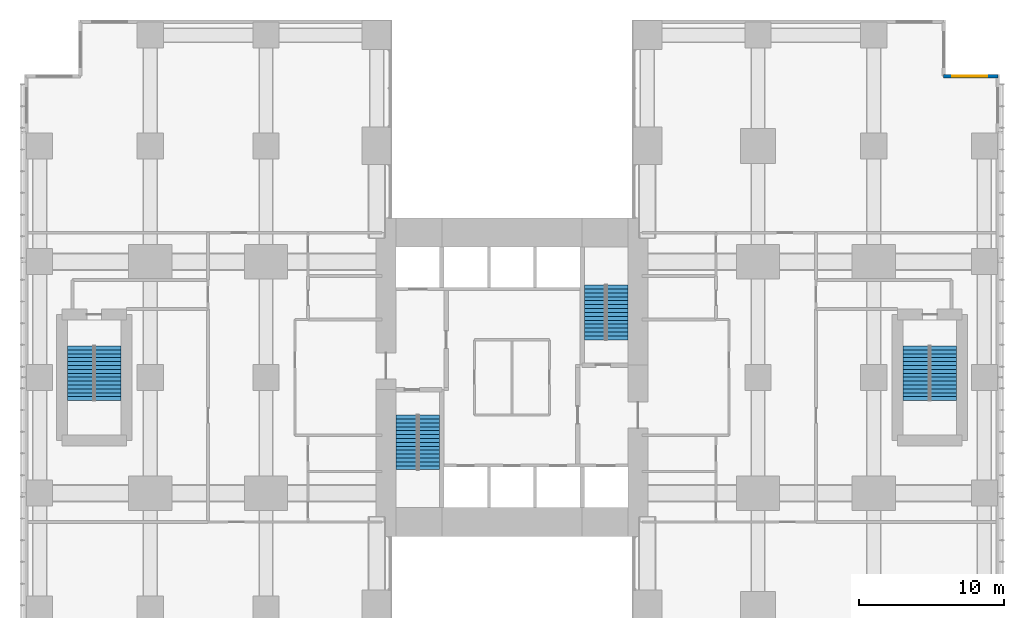
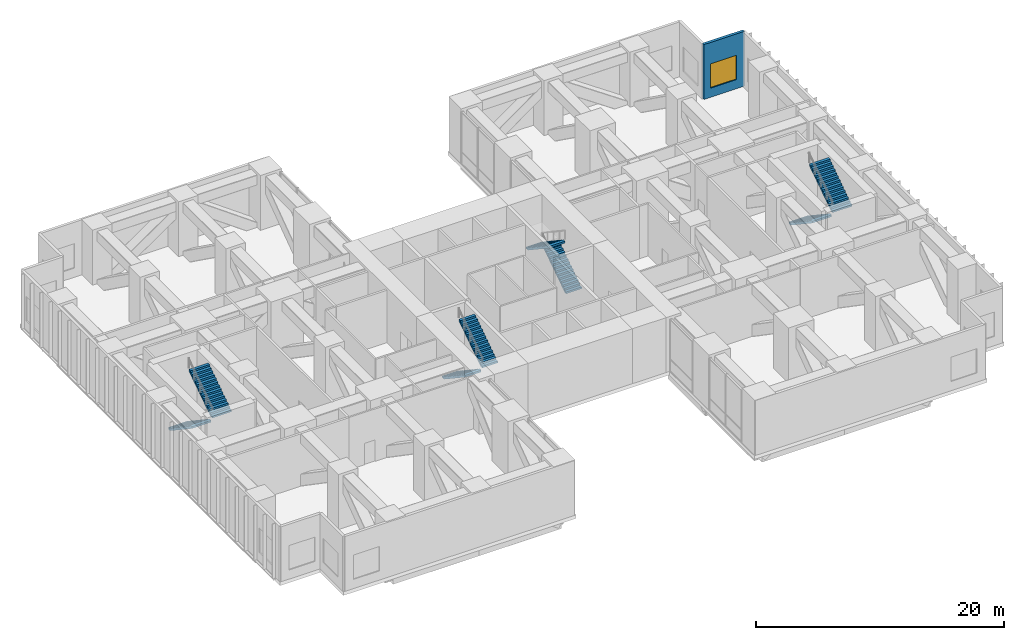
# One storey, part 14 of 15: 8 stair flights, 1 wall, 1 window, 1 opening, 4 elements without a shape of their own.
"""IFC4 building model written with IfcOpenShell, lengths in metres."""

from ifc_helpers import new_model, si_unit, direction, frame, frame_2d, origin, place, context, subcontext, project, spatial, polyline, rectangle, outline, extrude, material, layer, layer_set, type_object, element, fill, aggregate, save


model = new_model("IFC4")

# Units and contexts
model_context = context("Model", 3, precision=1e-05, world=origin(), true_north=direction((0.0, 1.0)))
body_context = subcontext(model_context, "Body", "Model", "MODEL_VIEW")
ifc_project = project(units=[si_unit("LENGTHUNIT", "METRE"), si_unit("AREAUNIT", "SQUARE_METRE"), si_unit("VOLUMEUNIT", "CUBIC_METRE"), si_unit("PLANEANGLEUNIT", "RADIAN"), si_unit("MASSUNIT", "GRAM", prefix="KILO")], contexts=[model_context])

# Site, building, storey
site_placement = place(None, origin())
site = spatial("IfcSite", under=ifc_project, at=site_placement, CompositionType="ELEMENT")
building_placement = place(site_placement, origin())
building = spatial("IfcBuilding", under=site, at=building_placement, Name="Cleftline Residences", CompositionType="ELEMENT")
storey_placement = place(building_placement, frame((0.0, 0.0, 171.800048828125)))
storey = spatial("IfcBuildingStorey", under=building, at=storey_placement, Name="L45", CompositionType="ELEMENT", Elevation=171.800048828125)

# Wall, opening, window
ifc_material_1 = material(Name="Rendered reinforced concrete blockwork", Category="masonry")
ifc_layer = layer(ifc_material_1, 0.25)
ifc_layer_set = layer_set([ifc_layer], Name="EXTERNAL WALL 250")
wall_type = type_object("IfcWallType", Name="EXTERNAL WALL 250", PredefinedType="SOLIDWALL", material=ifc_layer_set)
wall_placement = place(storey_placement, frame((66.574951171875, 44.824951171875, 0.0), z_axis=(0.0, 0.0, 1.0), x_axis=(-1.0, 0.0, 0.0)))
wall = element("IfcWall", 1, at=wall_placement, inside=storey, type_object=wall_type, Name="External wall", PredefinedType="SOLIDWALL", context=body_context, shape_type="SweptSolid", body=[
    extrude(rectangle(XDim=3.75, YDim=0.25, at=frame_2d((1.875, 0.0))), origin(), (0.0, 0.0, 1.0), 5.39990234375),
])
opening_placement = place(wall_placement, frame((0.737548828125, 0.0, 0.89990234375)))
opening = element("IfcOpeningElement", 2, at=opening_placement, cuts=wall, Name="Opening W9", PredefinedType="OPENING", context=body_context, shape_type="SweptSolid", body=[
    extrude(rectangle(XDim=2.39990234375, YDim=2.39990234375, at=frame_2d((1.199951171875, 1.199951171875))), frame((0.0, 0.135009765625, 0.0), z_axis=(0.0, -1.0, 0.0), x_axis=(1.0, 0.0, 0.0)), (0.0, 0.0, 1.0), 0.27001953125),
])
ifc_material_2 = material(Name="Aluminium frame, clear double glazing", Category="aluminium")
window_type = type_object("IfcWindowType", Name="WINDOW 2400X2400", PartitioningType="DOUBLE_PANEL_VERTICAL", PredefinedType="WINDOW", material=ifc_material_2)
window_placement = place(opening_placement, origin())
window = element("IfcWindow", 3, at=window_placement, inside=storey, type_object=window_type, Name="Window", OverallHeight=2.39990234375, OverallWidth=2.39990234375, PartitioningType="SINGLE_PANEL", PredefinedType="WINDOW", context=body_context, shape_type="SweptSolid", body=[
    extrude(rectangle(XDim=2.39990234375, YDim=2.39990234375, at=frame_2d((1.199951171875, 1.199951171875))), frame((0.0, 0.030029296875, 0.0), z_axis=(0.0, -1.0, 0.0), x_axis=(1.0, 0.0, 0.0)), (0.0, 0.0, 1.0), 0.06005859375),
])
fill(opening, window)

# Stair, stair flights
ifc_material_3 = material(Name="Concrete B45, stone treads", Category="masonry")
stair_type_1 = type_object("IfcStairType", Name="STAIR A 1450 WIDE 180 RISER", PredefinedType="HALF_TURN_STAIR", material=ifc_material_3)
stair_1_placement = place(storey_placement, origin())
stair_1 = element("IfcStair", 4, at=stair_1_placement, inside=storey, type_object=stair_type_1, Name="Stair A L45", PredefinedType="HALF_TURN_STAIR")
ifc_material_4 = material(Name="Concrete B45", Category="concrete")
stair_flight_type_1 = type_object("IfcStairFlightType", Name="STAIR A FLIGHT 1450X180", PredefinedType="STRAIGHT", material=ifc_material_4)
stair_flight_1_placement = place(storey_placement, frame((25.72509765625, 21.39990234375, 0.0), z_axis=(0.0, 0.0, 1.0), x_axis=(0.0, -1.0, 0.0)))
stair_flight_1 = element("IfcStairFlight", 5, at=stair_flight_1_placement, type_object=stair_flight_type_1, Name="ST-A flight 1", NumberOfRisers=15, NumberOfTreads=14, PredefinedType="STRAIGHT", RiserHeight=0.18, TreadLength=0.27, context=body_context, shape_type="SweptSolid", body=[
    extrude(outline(polyline([(0.0, 0.0), (0.0, 0.013916015625), (0.0, 0.027587890625), (0.0, 0.04150390625), (0.0, 0.055419921875), (0.0, 0.0693359375), (0.0, 0.0830078125), (0.0, 0.096923828125), (0.0, 0.11083984375), (0.0, 0.12451171875), (0.0, 0.138427734375), (0.0, 0.15234375), (0.0, 0.166259765625), (0.0, 0.179931640625), (0.27001953125, 0.179931640625), (0.27001953125, 0.360107421875), (0.5400390625, 0.360107421875), (0.5400390625, 0.5400390625), (0.81005859375, 0.5400390625), (0.81005859375, 0.719970703125), (1.080078125, 0.719970703125), (1.080078125, 0.89990234375), (1.35009765625, 0.89990234375), (1.35009765625, 1.080078125), (1.6201171875, 1.080078125), (1.6201171875, 1.260009765625), (1.889892578125, 1.260009765625), (1.889892578125, 1.43994140625), (2.159912109375, 1.43994140625), (2.159912109375, 1.6201171875), (2.429931640625, 1.6201171875), (2.429931640625, 1.800048828125), (2.699951171875, 1.800048828125), (2.699951171875, 1.97998046875), (2.969970703125, 1.97998046875), (2.969970703125, 2.159912109375), (3.239990234375, 2.159912109375), (3.239990234375, 2.340087890625), (3.510009765625, 2.340087890625), (3.510009765625, 2.52001953125), (3.780029296875, 2.52001953125), (3.780029296875, 2.699951171875), (3.780029296875, 2.67236328125), (3.780029296875, 2.64453125), (3.780029296875, 2.616943359375), (3.780029296875, 2.589111328125), (3.780029296875, 2.5615234375), (3.780029296875, 2.53369140625), (3.780029296875, 2.506103515625), (3.780029296875, 2.478271484375), (3.780029296875, 2.45068359375), (3.780029296875, 2.4228515625), (3.780029296875, 2.395263671875), (3.780029296875, 2.367431640625), (3.780029296875, 2.33984375), (0.270263671875, 0.0), (0.0, 0.0)])), frame((0.0, 0.72509765625, 0.0), z_axis=(0.0, -1.0, 0.0), x_axis=(1.0, 0.0, 0.0)), (0.0, 0.0, 1.0), 1.449951171875),
])
stair_flight_2_placement = place(storey_placement, frame((27.27490234375, 17.6201171875, 2.699951171875), z_axis=(0.0, 0.0, 1.0), x_axis=(0.0, 1.0, 0.0)))
stair_flight_2 = element("IfcStairFlight", 6, at=stair_flight_2_placement, type_object=stair_flight_type_1, Name="ST-A flight 2", NumberOfRisers=15, NumberOfTreads=14, PredefinedType="STRAIGHT", RiserHeight=0.18, TreadLength=0.27, context=body_context, shape_type="SweptSolid", body=[
    extrude(outline(polyline([(0.0, 0.0), (0.0, 0.013916015625), (0.0, 0.027587890625), (0.0, 0.04150390625), (0.0, 0.055419921875), (0.0, 0.0693359375), (0.0, 0.0830078125), (0.0, 0.096923828125), (0.0, 0.11083984375), (0.0, 0.12451171875), (0.0, 0.138427734375), (0.0, 0.15234375), (0.0, 0.166259765625), (0.0, 0.179931640625), (0.27001953125, 0.179931640625), (0.27001953125, 0.360107421875), (0.5400390625, 0.360107421875), (0.5400390625, 0.5400390625), (0.81005859375, 0.5400390625), (0.81005859375, 0.719970703125), (1.080078125, 0.719970703125), (1.080078125, 0.89990234375), (1.35009765625, 0.89990234375), (1.35009765625, 1.080078125), (1.6201171875, 1.080078125), (1.6201171875, 1.260009765625), (1.889892578125, 1.260009765625), (1.889892578125, 1.43994140625), (2.159912109375, 1.43994140625), (2.159912109375, 1.6201171875), (2.429931640625, 1.6201171875), (2.429931640625, 1.800048828125), (2.699951171875, 1.800048828125), (2.699951171875, 1.97998046875), (2.969970703125, 1.97998046875), (2.969970703125, 2.159912109375), (3.239990234375, 2.159912109375), (3.239990234375, 2.340087890625), (3.510009765625, 2.340087890625), (3.510009765625, 2.52001953125), (3.780029296875, 2.52001953125), (3.780029296875, 2.699951171875), (3.780029296875, 2.67236328125), (3.780029296875, 2.64453125), (3.780029296875, 2.616943359375), (3.780029296875, 2.589111328125), (3.780029296875, 2.5615234375), (3.780029296875, 2.53369140625), (3.780029296875, 2.506103515625), (3.780029296875, 2.478271484375), (3.780029296875, 2.45068359375), (3.780029296875, 2.4228515625), (3.780029296875, 2.395263671875), (3.780029296875, 2.367431640625), (3.780029296875, 2.33984375), (0.270263671875, 0.0), (0.0, 0.0)])), frame((0.0, 0.72509765625, 0.0), z_axis=(0.0, -1.0, 0.0), x_axis=(1.0, 0.0, 0.0)), (0.0, 0.0, 1.0), 1.449951171875),
])
aggregate(stair_1, [stair_flight_1, stair_flight_2])

ifc_material_5 = material(Name="Concrete B45, stone treads", Category="masonry")
stair_type_2 = type_object("IfcStairType", Name="STAIR B 1450 WIDE 180 RISER", PredefinedType="HALF_TURN_STAIR", material=ifc_material_5)
stair_2_placement = place(storey_placement, origin())
stair_2 = element("IfcStair", 7, at=stair_2_placement, inside=storey, type_object=stair_type_2, Name="Stair B L45", PredefinedType="HALF_TURN_STAIR")
ifc_material_6 = material(Name="Concrete B45", Category="concrete")
stair_flight_type_2 = type_object("IfcStairFlightType", Name="STAIR B FLIGHT 1450X180", PredefinedType="STRAIGHT", material=ifc_material_6)
stair_flight_3_placement = place(storey_placement, frame((40.27490234375, 26.60009765625, 0.0), z_axis=(0.0, 0.0, 1.0), x_axis=(0.0, 1.0, 0.0)))
stair_flight_3 = element("IfcStairFlight", 8, at=stair_flight_3_placement, type_object=stair_flight_type_2, Name="ST-B flight 1", NumberOfRisers=15, NumberOfTreads=14, PredefinedType="STRAIGHT", RiserHeight=0.18, TreadLength=0.27, context=body_context, shape_type="SweptSolid", body=[
    extrude(outline(polyline([(0.0, 0.0), (0.0, 0.013916015625), (0.0, 0.027587890625), (0.0, 0.04150390625), (0.0, 0.055419921875), (0.0, 0.0693359375), (0.0, 0.0830078125), (0.0, 0.096923828125), (0.0, 0.11083984375), (0.0, 0.12451171875), (0.0, 0.138427734375), (0.0, 0.15234375), (0.0, 0.166259765625), (0.0, 0.179931640625), (0.27001953125, 0.179931640625), (0.27001953125, 0.360107421875), (0.5400390625, 0.360107421875), (0.5400390625, 0.5400390625), (0.81005859375, 0.5400390625), (0.81005859375, 0.719970703125), (1.080078125, 0.719970703125), (1.080078125, 0.89990234375), (1.35009765625, 0.89990234375), (1.35009765625, 1.080078125), (1.6201171875, 1.080078125), (1.6201171875, 1.260009765625), (1.889892578125, 1.260009765625), (1.889892578125, 1.43994140625), (2.159912109375, 1.43994140625), (2.159912109375, 1.6201171875), (2.429931640625, 1.6201171875), (2.429931640625, 1.800048828125), (2.699951171875, 1.800048828125), (2.699951171875, 1.97998046875), (2.969970703125, 1.97998046875), (2.969970703125, 2.159912109375), (3.239990234375, 2.159912109375), (3.239990234375, 2.340087890625), (3.510009765625, 2.340087890625), (3.510009765625, 2.52001953125), (3.780029296875, 2.52001953125), (3.780029296875, 2.699951171875), (3.780029296875, 2.67236328125), (3.780029296875, 2.64453125), (3.780029296875, 2.616943359375), (3.780029296875, 2.589111328125), (3.780029296875, 2.5615234375), (3.780029296875, 2.53369140625), (3.780029296875, 2.506103515625), (3.780029296875, 2.478271484375), (3.780029296875, 2.45068359375), (3.780029296875, 2.4228515625), (3.780029296875, 2.395263671875), (3.780029296875, 2.367431640625), (3.780029296875, 2.33984375), (0.270263671875, 0.0), (0.0, 0.0)])), frame((0.0, 0.72509765625, 0.0), z_axis=(0.0, -1.0, 0.0), x_axis=(1.0, 0.0, 0.0)), (0.0, 0.0, 1.0), 1.449951171875),
])
stair_flight_4_placement = place(storey_placement, frame((38.72509765625, 30.3798828125, 2.699951171875), z_axis=(0.0, 0.0, 1.0), x_axis=(0.0, -1.0, 0.0)))
stair_flight_4 = element("IfcStairFlight", 9, at=stair_flight_4_placement, type_object=stair_flight_type_2, Name="ST-B flight 2", NumberOfRisers=15, NumberOfTreads=14, PredefinedType="STRAIGHT", RiserHeight=0.18, TreadLength=0.27, context=body_context, shape_type="SweptSolid", body=[
    extrude(outline(polyline([(0.0, 0.0), (0.0, 0.013916015625), (0.0, 0.027587890625), (0.0, 0.04150390625), (0.0, 0.055419921875), (0.0, 0.0693359375), (0.0, 0.0830078125), (0.0, 0.096923828125), (0.0, 0.11083984375), (0.0, 0.12451171875), (0.0, 0.138427734375), (0.0, 0.15234375), (0.0, 0.166259765625), (0.0, 0.179931640625), (0.27001953125, 0.179931640625), (0.27001953125, 0.360107421875), (0.5400390625, 0.360107421875), (0.5400390625, 0.5400390625), (0.81005859375, 0.5400390625), (0.81005859375, 0.719970703125), (1.080078125, 0.719970703125), (1.080078125, 0.89990234375), (1.35009765625, 0.89990234375), (1.35009765625, 1.080078125), (1.6201171875, 1.080078125), (1.6201171875, 1.260009765625), (1.889892578125, 1.260009765625), (1.889892578125, 1.43994140625), (2.159912109375, 1.43994140625), (2.159912109375, 1.6201171875), (2.429931640625, 1.6201171875), (2.429931640625, 1.800048828125), (2.699951171875, 1.800048828125), (2.699951171875, 1.97998046875), (2.969970703125, 1.97998046875), (2.969970703125, 2.159912109375), (3.239990234375, 2.159912109375), (3.239990234375, 2.340087890625), (3.510009765625, 2.340087890625), (3.510009765625, 2.52001953125), (3.780029296875, 2.52001953125), (3.780029296875, 2.699951171875), (3.780029296875, 2.67236328125), (3.780029296875, 2.64453125), (3.780029296875, 2.616943359375), (3.780029296875, 2.589111328125), (3.780029296875, 2.5615234375), (3.780029296875, 2.53369140625), (3.780029296875, 2.506103515625), (3.780029296875, 2.478271484375), (3.780029296875, 2.45068359375), (3.780029296875, 2.4228515625), (3.780029296875, 2.395263671875), (3.780029296875, 2.367431640625), (3.780029296875, 2.33984375), (0.270263671875, 0.0), (0.0, 0.0)])), frame((0.0, 0.72509765625, 0.0), z_axis=(0.0, -1.0, 0.0), x_axis=(1.0, 0.0, 0.0)), (0.0, 0.0, 1.0), 1.449951171875),
])
aggregate(stair_2, [stair_flight_3, stair_flight_4])

ifc_material_7 = material(Name="Concrete B45, stone treads", Category="masonry")
stair_type_3 = type_object("IfcStairType", Name="STAIR E 1800 WIDE 180 RISER", PredefinedType="HALF_TURN_STAIR", material=ifc_material_7)
stair_3_placement = place(storey_placement, origin())
stair_3 = element("IfcStair", 10, at=stair_3_placement, inside=storey, type_object=stair_type_3, Name="Stair E L45", PredefinedType="HALF_TURN_STAIR")
ifc_material_8 = material(Name="Concrete B45", Category="concrete")
stair_flight_type_3 = type_object("IfcStairFlightType", Name="STAIR E FLIGHT 1800X180", PredefinedType="STRAIGHT", material=ifc_material_8)
stair_flight_5_placement = place(storey_placement, frame((60.925048828125, 26.175048828125, 0.0), z_axis=(0.0, 0.0, 1.0), x_axis=(0.0, -1.0, 0.0)))
stair_flight_5 = element("IfcStairFlight", 11, at=stair_flight_5_placement, type_object=stair_flight_type_3, Name="ST-E flight 1", NumberOfRisers=15, NumberOfTreads=14, PredefinedType="STRAIGHT", RiserHeight=0.18, TreadLength=0.27, context=body_context, shape_type="SweptSolid", body=[
    extrude(outline(polyline([(0.0, 0.0), (0.0, 0.013916015625), (0.0, 0.027587890625), (0.0, 0.04150390625), (0.0, 0.055419921875), (0.0, 0.0693359375), (0.0, 0.0830078125), (0.0, 0.096923828125), (0.0, 0.11083984375), (0.0, 0.12451171875), (0.0, 0.138427734375), (0.0, 0.15234375), (0.0, 0.166259765625), (0.0, 0.179931640625), (0.27001953125, 0.179931640625), (0.27001953125, 0.360107421875), (0.5400390625, 0.360107421875), (0.5400390625, 0.5400390625), (0.81005859375, 0.5400390625), (0.81005859375, 0.719970703125), (1.080078125, 0.719970703125), (1.080078125, 0.89990234375), (1.35009765625, 0.89990234375), (1.35009765625, 1.080078125), (1.6201171875, 1.080078125), (1.6201171875, 1.260009765625), (1.889892578125, 1.260009765625), (1.889892578125, 1.43994140625), (2.159912109375, 1.43994140625), (2.159912109375, 1.6201171875), (2.429931640625, 1.6201171875), (2.429931640625, 1.800048828125), (2.699951171875, 1.800048828125), (2.699951171875, 1.97998046875), (2.969970703125, 1.97998046875), (2.969970703125, 2.159912109375), (3.239990234375, 2.159912109375), (3.239990234375, 2.340087890625), (3.510009765625, 2.340087890625), (3.510009765625, 2.52001953125), (3.780029296875, 2.52001953125), (3.780029296875, 2.699951171875), (3.780029296875, 2.67236328125), (3.780029296875, 2.64453125), (3.780029296875, 2.616943359375), (3.780029296875, 2.589111328125), (3.780029296875, 2.5615234375), (3.780029296875, 2.53369140625), (3.780029296875, 2.506103515625), (3.780029296875, 2.478271484375), (3.780029296875, 2.45068359375), (3.780029296875, 2.4228515625), (3.780029296875, 2.395263671875), (3.780029296875, 2.367431640625), (3.780029296875, 2.33984375), (0.270263671875, 0.0), (0.0, 0.0)])), frame((0.0, 0.89990234375, 0.0), z_axis=(0.0, -1.0, 0.0), x_axis=(1.0, 0.0, 0.0)), (0.0, 0.0, 1.0), 1.800048828125),
])
stair_flight_6_placement = place(storey_placement, frame((62.824951171875, 22.39501953125, 2.699951171875), z_axis=(0.0, 0.0, 1.0), x_axis=(0.0, 1.0, 0.0)))
stair_flight_6 = element("IfcStairFlight", 12, at=stair_flight_6_placement, type_object=stair_flight_type_3, Name="ST-E flight 2", NumberOfRisers=15, NumberOfTreads=14, PredefinedType="STRAIGHT", RiserHeight=0.18, TreadLength=0.27, context=body_context, shape_type="SweptSolid", body=[
    extrude(outline(polyline([(0.0, 0.0), (0.0, 0.013916015625), (0.0, 0.027587890625), (0.0, 0.04150390625), (0.0, 0.055419921875), (0.0, 0.0693359375), (0.0, 0.0830078125), (0.0, 0.096923828125), (0.0, 0.11083984375), (0.0, 0.12451171875), (0.0, 0.138427734375), (0.0, 0.15234375), (0.0, 0.166259765625), (0.0, 0.179931640625), (0.27001953125, 0.179931640625), (0.27001953125, 0.360107421875), (0.5400390625, 0.360107421875), (0.5400390625, 0.5400390625), (0.81005859375, 0.5400390625), (0.81005859375, 0.719970703125), (1.080078125, 0.719970703125), (1.080078125, 0.89990234375), (1.35009765625, 0.89990234375), (1.35009765625, 1.080078125), (1.6201171875, 1.080078125), (1.6201171875, 1.260009765625), (1.889892578125, 1.260009765625), (1.889892578125, 1.43994140625), (2.159912109375, 1.43994140625), (2.159912109375, 1.6201171875), (2.429931640625, 1.6201171875), (2.429931640625, 1.800048828125), (2.699951171875, 1.800048828125), (2.699951171875, 1.97998046875), (2.969970703125, 1.97998046875), (2.969970703125, 2.159912109375), (3.239990234375, 2.159912109375), (3.239990234375, 2.340087890625), (3.510009765625, 2.340087890625), (3.510009765625, 2.52001953125), (3.780029296875, 2.52001953125), (3.780029296875, 2.699951171875), (3.780029296875, 2.67236328125), (3.780029296875, 2.64453125), (3.780029296875, 2.616943359375), (3.780029296875, 2.589111328125), (3.780029296875, 2.5615234375), (3.780029296875, 2.53369140625), (3.780029296875, 2.506103515625), (3.780029296875, 2.478271484375), (3.780029296875, 2.45068359375), (3.780029296875, 2.4228515625), (3.780029296875, 2.395263671875), (3.780029296875, 2.367431640625), (3.780029296875, 2.33984375), (0.270263671875, 0.0), (0.0, 0.0)])), frame((0.0, 0.89990234375, 0.0), z_axis=(0.0, -1.0, 0.0), x_axis=(1.0, 0.0, 0.0)), (0.0, 0.0, 1.0), 1.800048828125),
])
aggregate(stair_3, [stair_flight_5, stair_flight_6])

ifc_material_9 = material(Name="Concrete B45, stone treads", Category="masonry")
stair_type_4 = type_object("IfcStairType", Name="STAIR W 1800 WIDE 180 RISER", PredefinedType="HALF_TURN_STAIR", material=ifc_material_9)
stair_4_placement = place(storey_placement, origin())
stair_4 = element("IfcStair", 13, at=stair_4_placement, inside=storey, type_object=stair_type_4, Name="Stair W L45", PredefinedType="HALF_TURN_STAIR")
ifc_material_10 = material(Name="Concrete B45", Category="concrete")
stair_flight_type_4 = type_object("IfcStairFlightType", Name="STAIR W FLIGHT 1800X180", PredefinedType="STRAIGHT", material=ifc_material_10)
stair_flight_7_placement = place(storey_placement, frame((3.175048828125, 26.175048828125, 0.0), z_axis=(0.0, 0.0, 1.0), x_axis=(0.0, -1.0, 0.0)))
stair_flight_7 = element("IfcStairFlight", 14, at=stair_flight_7_placement, type_object=stair_flight_type_4, Name="ST-W flight 1", NumberOfRisers=15, NumberOfTreads=14, PredefinedType="STRAIGHT", RiserHeight=0.18, TreadLength=0.27, context=body_context, shape_type="SweptSolid", body=[
    extrude(outline(polyline([(0.0, 0.0), (0.0, 0.013916015625), (0.0, 0.027587890625), (0.0, 0.04150390625), (0.0, 0.055419921875), (0.0, 0.0693359375), (0.0, 0.0830078125), (0.0, 0.096923828125), (0.0, 0.11083984375), (0.0, 0.12451171875), (0.0, 0.138427734375), (0.0, 0.15234375), (0.0, 0.166259765625), (0.0, 0.179931640625), (0.27001953125, 0.179931640625), (0.27001953125, 0.360107421875), (0.5400390625, 0.360107421875), (0.5400390625, 0.5400390625), (0.81005859375, 0.5400390625), (0.81005859375, 0.719970703125), (1.080078125, 0.719970703125), (1.080078125, 0.89990234375), (1.35009765625, 0.89990234375), (1.35009765625, 1.080078125), (1.6201171875, 1.080078125), (1.6201171875, 1.260009765625), (1.889892578125, 1.260009765625), (1.889892578125, 1.43994140625), (2.159912109375, 1.43994140625), (2.159912109375, 1.6201171875), (2.429931640625, 1.6201171875), (2.429931640625, 1.800048828125), (2.699951171875, 1.800048828125), (2.699951171875, 1.97998046875), (2.969970703125, 1.97998046875), (2.969970703125, 2.159912109375), (3.239990234375, 2.159912109375), (3.239990234375, 2.340087890625), (3.510009765625, 2.340087890625), (3.510009765625, 2.52001953125), (3.780029296875, 2.52001953125), (3.780029296875, 2.699951171875), (3.780029296875, 2.67236328125), (3.780029296875, 2.64453125), (3.780029296875, 2.616943359375), (3.780029296875, 2.589111328125), (3.780029296875, 2.5615234375), (3.780029296875, 2.53369140625), (3.780029296875, 2.506103515625), (3.780029296875, 2.478271484375), (3.780029296875, 2.45068359375), (3.780029296875, 2.4228515625), (3.780029296875, 2.395263671875), (3.780029296875, 2.367431640625), (3.780029296875, 2.33984375), (0.270263671875, 0.0), (0.0, 0.0)])), frame((0.0, 0.89990234375, 0.0), z_axis=(0.0, -1.0, 0.0), x_axis=(1.0, 0.0, 0.0)), (0.0, 0.0, 1.0), 1.800048828125),
])
stair_flight_8_placement = place(storey_placement, frame((5.074951171875, 22.39501953125, 2.699951171875), z_axis=(0.0, 0.0, 1.0), x_axis=(0.0, 1.0, 0.0)))
stair_flight_8 = element("IfcStairFlight", 15, at=stair_flight_8_placement, type_object=stair_flight_type_4, Name="ST-W flight 2", NumberOfRisers=15, NumberOfTreads=14, PredefinedType="STRAIGHT", RiserHeight=0.18, TreadLength=0.27, context=body_context, shape_type="SweptSolid", body=[
    extrude(outline(polyline([(0.0, 0.0), (0.0, 0.013916015625), (0.0, 0.027587890625), (0.0, 0.04150390625), (0.0, 0.055419921875), (0.0, 0.0693359375), (0.0, 0.0830078125), (0.0, 0.096923828125), (0.0, 0.11083984375), (0.0, 0.12451171875), (0.0, 0.138427734375), (0.0, 0.15234375), (0.0, 0.166259765625), (0.0, 0.179931640625), (0.27001953125, 0.179931640625), (0.27001953125, 0.360107421875), (0.5400390625, 0.360107421875), (0.5400390625, 0.5400390625), (0.81005859375, 0.5400390625), (0.81005859375, 0.719970703125), (1.080078125, 0.719970703125), (1.080078125, 0.89990234375), (1.35009765625, 0.89990234375), (1.35009765625, 1.080078125), (1.6201171875, 1.080078125), (1.6201171875, 1.260009765625), (1.889892578125, 1.260009765625), (1.889892578125, 1.43994140625), (2.159912109375, 1.43994140625), (2.159912109375, 1.6201171875), (2.429931640625, 1.6201171875), (2.429931640625, 1.800048828125), (2.699951171875, 1.800048828125), (2.699951171875, 1.97998046875), (2.969970703125, 1.97998046875), (2.969970703125, 2.159912109375), (3.239990234375, 2.159912109375), (3.239990234375, 2.340087890625), (3.510009765625, 2.340087890625), (3.510009765625, 2.52001953125), (3.780029296875, 2.52001953125), (3.780029296875, 2.699951171875), (3.780029296875, 2.67236328125), (3.780029296875, 2.64453125), (3.780029296875, 2.616943359375), (3.780029296875, 2.589111328125), (3.780029296875, 2.5615234375), (3.780029296875, 2.53369140625), (3.780029296875, 2.506103515625), (3.780029296875, 2.478271484375), (3.780029296875, 2.45068359375), (3.780029296875, 2.4228515625), (3.780029296875, 2.395263671875), (3.780029296875, 2.367431640625), (3.780029296875, 2.33984375), (0.270263671875, 0.0), (0.0, 0.0)])), frame((0.0, 0.89990234375, 0.0), z_axis=(0.0, -1.0, 0.0), x_axis=(1.0, 0.0, 0.0)), (0.0, 0.0, 1.0), 1.800048828125),
])
aggregate(stair_4, [stair_flight_7, stair_flight_8])

save(model, "model.ifc")
